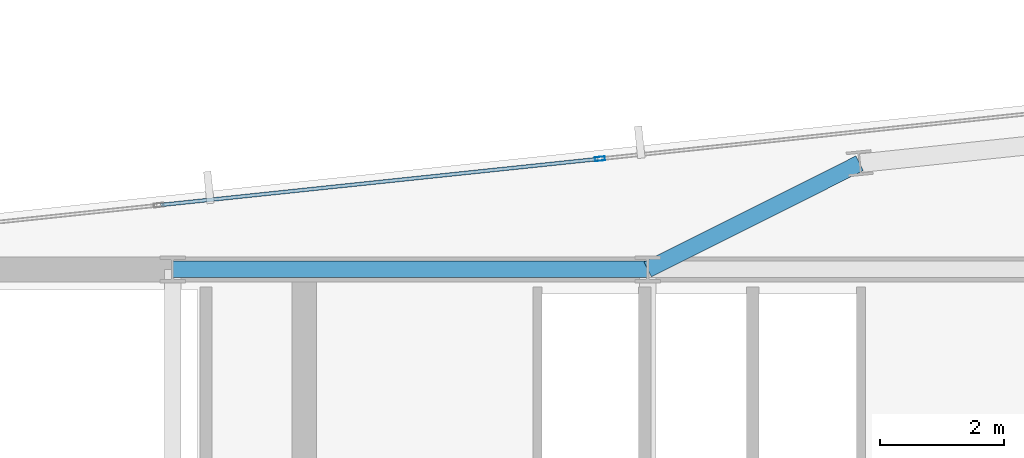
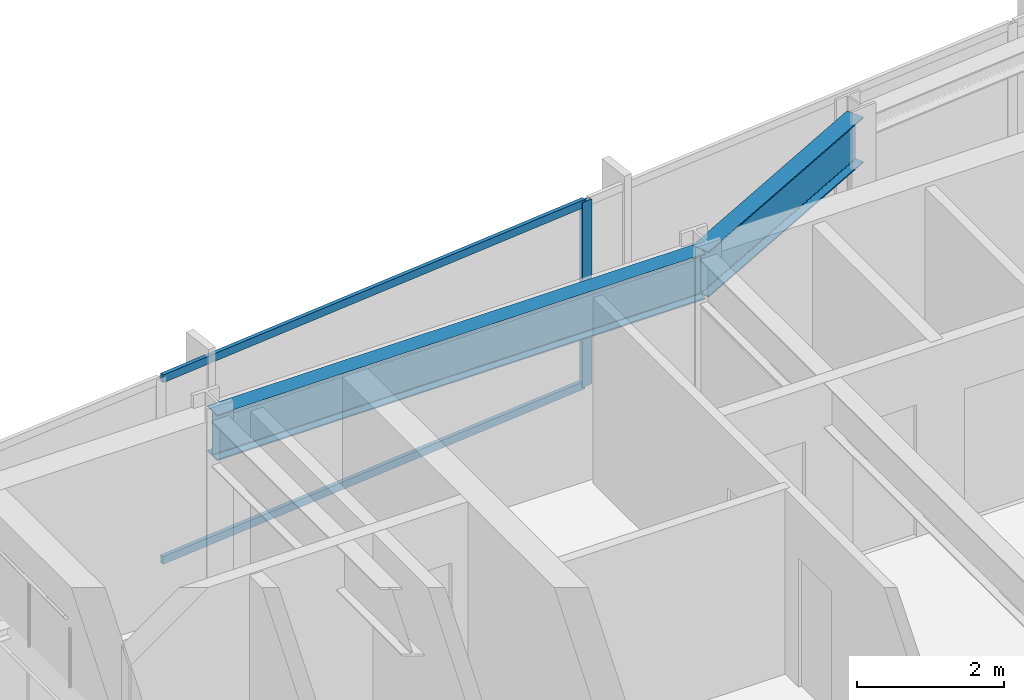
# One storey, part 21 of 32: 3 members, 2 beams, 1 element without a shape of its own.
"""IFC4 building model written with IfcOpenShell, lengths in metres."""

from ifc_helpers import new_model, si_unit, direction, frame, origin, origin_2d, place, context, subcontext, project, spatial, hollow_rectangle, i_section, extrude, material, material_profile, profile_set, type_object, element, aggregate, save


model = new_model("IFC4")

# Units and contexts
model_context = context("Model", 3, precision=1e-05, world=origin(), true_north=direction((0.0, 1.0)))
body_context = subcontext(model_context, "Body", "Model", "MODEL_VIEW")
ifc_project = project(units=[si_unit("LENGTHUNIT", "METRE"), si_unit("AREAUNIT", "SQUARE_METRE"), si_unit("VOLUMEUNIT", "CUBIC_METRE"), si_unit("PLANEANGLEUNIT", "RADIAN"), si_unit("MASSUNIT", "GRAM", prefix="KILO")], contexts=[model_context])

# Site, building, storey
site_placement = place(None, origin())
site = spatial("IfcSite", under=ifc_project, at=site_placement, CompositionType="ELEMENT")
building_placement = place(site_placement, origin())
building = spatial("IfcBuilding", under=site, at=building_placement, Name="Yelkora Congress Tower", CompositionType="ELEMENT")
storey_placement = place(building_placement, frame((0.0, 0.0, 217.699951171875)))
storey = spatial("IfcBuildingStorey", under=building, at=storey_placement, Name="L60", CompositionType="ELEMENT", Elevation=217.699951171875)

# Beams
ifc_material_1 = material(Name="Steel S355J2", Category="steel")
ifc_material_profile_1 = material_profile(ifc_material_1, i_section(OverallWidth=0.26708984375, OverallDepth=0.761962890625, WebThickness=0.014404296875, FlangeThickness=0.021484375, FilletRadius=0.01708984375, at=origin_2d()), Name="IPE 750x173")
ifc_profile_set_1 = profile_set([ifc_material_profile_1], Name="Steel S355J2")
beam_type = type_object("IfcBeamType", Name="BM-GIRD-IPE750", PredefinedType="BEAM", material=ifc_profile_set_1)
beam_1_placement = place(storey_placement, frame((30.719970703125, 46.199951171875, 2.698974609375), z_axis=(1.0, 0.0, 0.0), x_axis=(0.0, 1.0, 0.0)))
element("IfcBeam", 1, at=beam_1_placement, inside=storey, type_object=beam_type, Name="L60 Core North Girder 3", PredefinedType="BEAM", context=body_context, shape_type="SweptSolid", body=[
    extrude(i_section(OverallWidth=0.26708984375, OverallDepth=0.761962890625, WebThickness=0.014404296875, FlangeThickness=0.021484375, FilletRadius=0.01708984375, at=origin_2d()), origin(), (0.0, 0.0, 1.0), 7.679931640625),
])
beam_2_placement = place(storey_placement, frame((41.828125, 47.91748046875, 2.698974609375), z_axis=(-0.894070348256, -0.447926570288, 0.0), x_axis=(0.447926570288, -0.894070348256, 0.0)))
element("IfcBeam", 2, at=beam_2_placement, inside=storey, type_object=beam_type, Name="L60 Primary Frame Girder N04", PredefinedType="BEAM", context=body_context, shape_type="SweptSolid", body=[
    extrude(i_section(OverallWidth=0.26708984375, OverallDepth=0.761962890625, WebThickness=0.014404296875, FlangeThickness=0.021484375, FilletRadius=0.01708984375, at=origin_2d()), origin(), (0.0, 0.0, 1.0), 3.83447265625),
])

# Curtain wall, members
ifc_material_2 = material(Name="Anodised aluminium and insulated glass", Category="aluminium")
curtain_wall_type = type_object("IfcCurtainWallType", Name="CW-SYS-B4", PredefinedType="NOTDEFINED", material=ifc_material_2)
curtain_wall_placement = place(storey_placement, origin())
curtain_wall = element("IfcCurtainWall", 3, at=curtain_wall_placement, inside=storey, type_object=curtain_wall_type, Name="L60 Unitised Curtain Wall 10 (3)", PredefinedType="NOTDEFINED")
ifc_material_3 = material(Name="Anodised aluminium 6063-T6", Category="aluminium")
ifc_material_profile_2 = material_profile(ifc_material_3, hollow_rectangle(XDim=0.06494140625, YDim=0.159912109375, WallThickness=0.00390625, at=origin_2d()), Name="ALU 65x160x4")
ifc_profile_set_2 = profile_set([ifc_material_profile_2], Name="Anodised aluminium 6063-T6")
member_type_1 = type_object("IfcMemberType", Name="MEM-ML-B4", PredefinedType="MULLION", material=ifc_profile_set_2)
member_1_placement = place(storey_placement, frame((37.62744140625, 47.98876953125, 0.0), z_axis=(0.0, 0.0, 1.0), x_axis=(-0.104527724021, 0.994521973066, 0.0)))
member_1 = element("IfcMember", 4, at=member_1_placement, type_object=member_type_1, Name="CW-B4 mullion 3", PredefinedType="MULLION", context=body_context, shape_type="SweptSolid", body=[
    extrude(hollow_rectangle(XDim=0.06494140625, YDim=0.159912109375, WallThickness=0.00390625, at=origin_2d()), origin(), (0.0, 0.0, 1.0), 3.080078125),
])
ifc_material_profile_3 = material_profile(ifc_material_3, hollow_rectangle(XDim=0.06005859375, YDim=0.1298828125, WallThickness=0.00390625, at=origin_2d()), Name="ALU 60x130x4")
ifc_profile_set_3 = profile_set([ifc_material_profile_3], Name="Anodised aluminium 6063-T6")
member_type_2 = type_object("IfcMemberType", Name="MEM-TR-B4", PredefinedType="USERDEFINED", material=ifc_profile_set_3)
member_2_placement = place(storey_placement, frame((30.529052734375, 47.24267578125, 0.030029296875), z_axis=(0.99452200925, 0.104527379751, 0.0), x_axis=(-0.104527379751, 0.99452200925, 0.0)))
member_2 = element("IfcMember", 5, at=member_2_placement, type_object=member_type_2, Name="CW-B4 transom 2.1", ObjectType="TRANSOM", PredefinedType="USERDEFINED", context=body_context, shape_type="SweptSolid", body=[
    extrude(hollow_rectangle(XDim=0.06005859375, YDim=0.1298828125, WallThickness=0.00390625, at=origin_2d()), origin(), (0.0, 0.0, 1.0), 7.10498046875),
])
member_3_placement = place(storey_placement, frame((30.529052734375, 47.24267578125, 3.050048828125), z_axis=(0.99452200925, 0.104527379751, 0.0), x_axis=(-0.104527379751, 0.99452200925, 0.0)))
member_3 = element("IfcMember", 6, at=member_3_placement, type_object=member_type_2, Name="CW-B4 transom 2.2", ObjectType="TRANSOM", PredefinedType="USERDEFINED", context=body_context, shape_type="SweptSolid", body=[
    extrude(hollow_rectangle(XDim=0.06005859375, YDim=0.1298828125, WallThickness=0.00390625, at=origin_2d()), origin(), (0.0, 0.0, 1.0), 7.10498046875),
])
aggregate(curtain_wall, [member_1, member_2, member_3])

save(model, "model.ifc")
